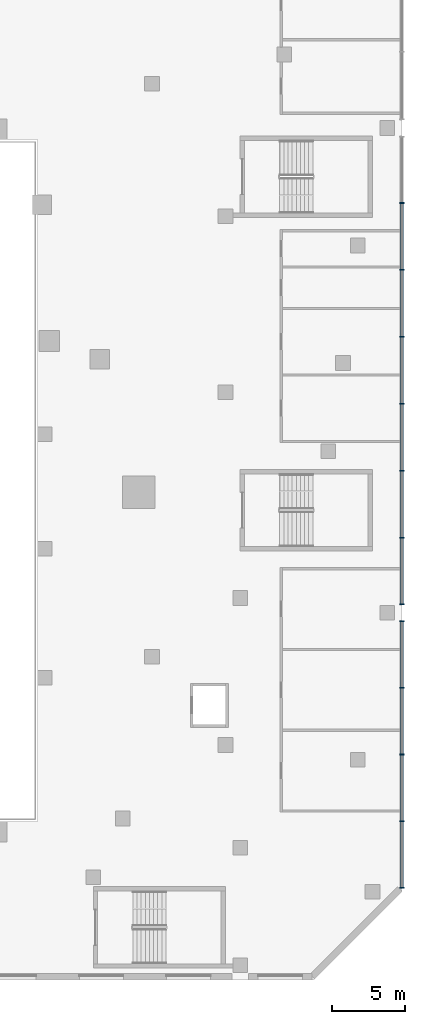
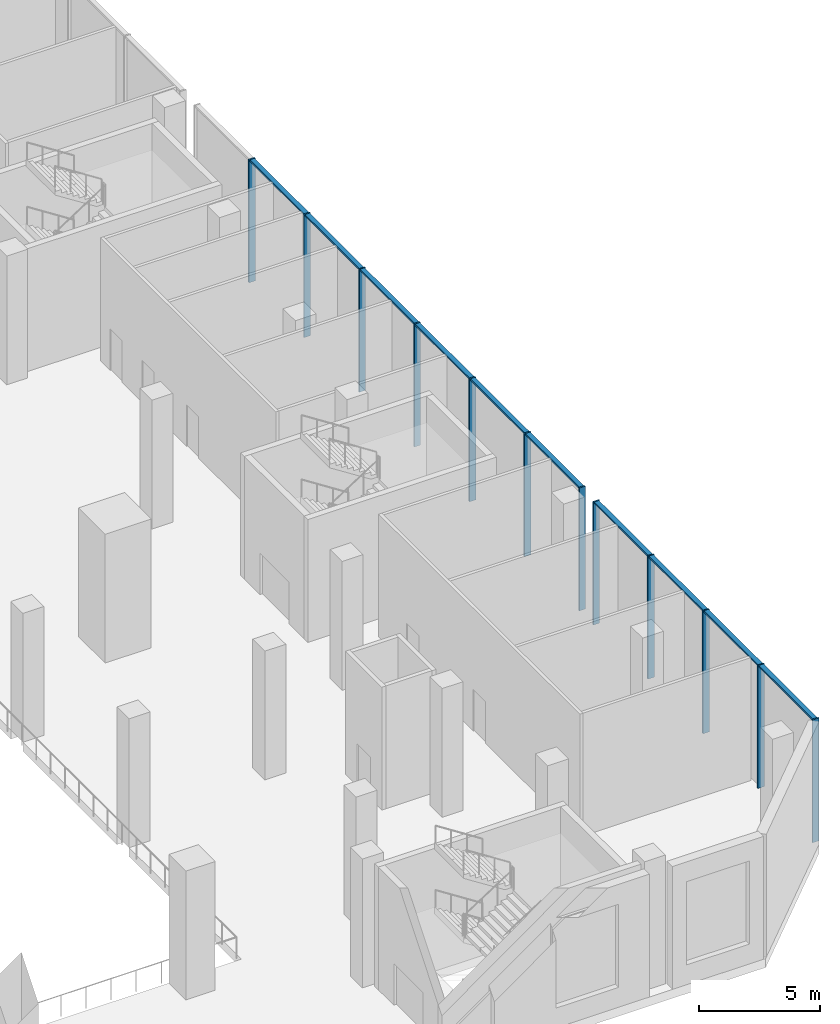
# One storey, part 4 of 30: 22 members, 2 elements without a shape of their own.
"""IFC4 building model written with IfcOpenShell, lengths in metres."""

from ifc_helpers import new_model, si_unit, direction, frame, origin, origin_2d, place, context, subcontext, project, spatial, rectangle, extrude, material, material_profile, profile_set, type_object, element, aggregate, save


model = new_model("IFC4")

# Units and contexts
model_context = context("Model", 3, precision=1e-05, world=origin(), true_north=direction((0.0, 1.0)))
body_context = subcontext(model_context, "Body", "Model", "MODEL_VIEW")
ifc_project = project(units=[si_unit("LENGTHUNIT", "METRE"), si_unit("AREAUNIT", "SQUARE_METRE"), si_unit("VOLUMEUNIT", "CUBIC_METRE"), si_unit("PLANEANGLEUNIT", "RADIAN"), si_unit("MASSUNIT", "GRAM", prefix="KILO")], contexts=[model_context])

# Site, building, storey
site_placement = place(None, origin())
site = spatial("IfcSite", under=ifc_project, at=site_placement, CompositionType="ELEMENT")
building_placement = place(site_placement, origin())
building = spatial("IfcBuilding", under=site, at=building_placement, Name="Wharfspan Tower", CompositionType="ELEMENT")
storey_placement = place(building_placement, frame((0.0, 0.0, 15.0)))
storey = spatial("IfcBuildingStorey", under=building, at=storey_placement, Name="L02", CompositionType="ELEMENT", Elevation=15.0)

# Curtain wall, members
ifc_material = material(Name="Aluminium 6063-T6", Category="aluminium")
curtain_wall_type = type_object("IfcCurtainWallType", Name="CURTAIN WALL ARENA STICK WALL", PredefinedType="NOTDEFINED", material=ifc_material)
curtain_wall_1_placement = place(storey_placement, origin())
curtain_wall_1 = element("IfcCurtainWall", 1, at=curtain_wall_1_placement, inside=storey, type_object=curtain_wall_type, Name="Concourse stick wall PF3.1", PredefinedType="NOTDEFINED")
ifc_material_profile_1 = material_profile(ifc_material, rectangle(XDim=0.300049, YDim=0.070068, at=origin_2d()))
ifc_profile_set_1 = profile_set([ifc_material_profile_1], Name="Aluminium 6063-T6")
member_type_1 = type_object("IfcMemberType", Name="MULLION ARENA STICK WALL 70x300", PredefinedType="MULLION", material=ifc_profile_set_1)
member_1_placement = place(storey_placement, frame((108.0, -25.715088, 0.0), z_axis=(0.0, 0.0, 1.0), x_axis=(-1.0, 0.0, 0.0)))
member_1 = element("IfcMember", 2, at=member_1_placement, type_object=member_type_1, Name="Concourse stick wall PF3.1 mullion 1", PredefinedType="MULLION", context=body_context, shape_type="SweptSolid", body=[
    extrude(rectangle(XDim=0.300049, YDim=0.070068, at=origin_2d()), origin(), (0.0, 0.0, 1.0), 6.199951),
])
member_2_placement = place(storey_placement, frame((108.0, -21.199951, 0.0), z_axis=(0.0, 0.0, 1.0), x_axis=(-1.0, 0.0, 0.0)))
member_2 = element("IfcMember", 3, at=member_2_placement, type_object=member_type_1, Name="Concourse stick wall PF3.1 mullion 2", PredefinedType="MULLION", context=body_context, shape_type="SweptSolid", body=[
    extrude(rectangle(XDim=0.300049, YDim=0.070068, at=origin_2d()), origin(), (0.0, 0.0, 1.0), 6.199951),
])
member_3_placement = place(storey_placement, frame((108.0, -16.649902, 0.0), z_axis=(0.0, 0.0, 1.0), x_axis=(-1.0, 0.0, 0.0)))
member_3 = element("IfcMember", 4, at=member_3_placement, type_object=member_type_1, Name="Concourse stick wall PF3.1 mullion 3", PredefinedType="MULLION", context=body_context, shape_type="SweptSolid", body=[
    extrude(rectangle(XDim=0.300049, YDim=0.070068, at=origin_2d()), origin(), (0.0, 0.0, 1.0), 6.199951),
])
member_4_placement = place(storey_placement, frame((108.0, -12.100098, 0.0), z_axis=(0.0, 0.0, 1.0), x_axis=(-1.0, 0.0, 0.0)))
member_4 = element("IfcMember", 5, at=member_4_placement, type_object=member_type_1, Name="Concourse stick wall PF3.1 mullion 4", PredefinedType="MULLION", context=body_context, shape_type="SweptSolid", body=[
    extrude(rectangle(XDim=0.300049, YDim=0.070068, at=origin_2d()), origin(), (0.0, 0.0, 1.0), 6.199951),
])
member_5_placement = place(storey_placement, frame((108.0, -7.584961, 0.0), z_axis=(0.0, 0.0, 1.0), x_axis=(-1.0, 0.0, 0.0)))
member_5 = element("IfcMember", 6, at=member_5_placement, type_object=member_type_1, Name="Concourse stick wall PF3.1 mullion 5", PredefinedType="MULLION", context=body_context, shape_type="SweptSolid", body=[
    extrude(rectangle(XDim=0.300049, YDim=0.070068, at=origin_2d()), origin(), (0.0, 0.0, 1.0), 6.199951),
])

curtain_wall_2_placement = place(storey_placement, origin())
curtain_wall_2 = element("IfcCurtainWall", 7, at=curtain_wall_2_placement, inside=storey, type_object=curtain_wall_type, Name="Concourse stick wall PF3.2", PredefinedType="NOTDEFINED")
member_6_placement = place(storey_placement, frame((108.0, -6.415039, 0.0), z_axis=(0.0, 0.0, 1.0), x_axis=(-1.0, 0.0, 0.0)))
member_6 = element("IfcMember", 8, at=member_6_placement, type_object=member_type_1, Name="Concourse stick wall PF3.2 mullion 1", PredefinedType="MULLION", context=body_context, shape_type="SweptSolid", body=[
    extrude(rectangle(XDim=0.300049, YDim=0.070068, at=origin_2d()), origin(), (0.0, 0.0, 1.0), 6.199951),
])
member_7_placement = place(storey_placement, frame((108.0, -1.892822, 0.0), z_axis=(0.0, 0.0, 1.0), x_axis=(-1.0, 0.0, 0.0)))
member_7 = element("IfcMember", 9, at=member_7_placement, type_object=member_type_1, Name="Concourse stick wall PF3.2 mullion 2", PredefinedType="MULLION", context=body_context, shape_type="SweptSolid", body=[
    extrude(rectangle(XDim=0.300049, YDim=0.070068, at=origin_2d()), origin(), (0.0, 0.0, 1.0), 6.199951),
])
member_8_placement = place(storey_placement, frame((108.0, 2.664307, 0.0), z_axis=(0.0, 0.0, 1.0), x_axis=(-1.0, 0.0, 0.0)))
member_8 = element("IfcMember", 10, at=member_8_placement, type_object=member_type_1, Name="Concourse stick wall PF3.2 mullion 3", PredefinedType="MULLION", context=body_context, shape_type="SweptSolid", body=[
    extrude(rectangle(XDim=0.300049, YDim=0.070068, at=origin_2d()), origin(), (0.0, 0.0, 1.0), 6.199951),
])
member_9_placement = place(storey_placement, frame((108.0, 7.221436, 0.0), z_axis=(0.0, 0.0, 1.0), x_axis=(-1.0, 0.0, 0.0)))
member_9 = element("IfcMember", 11, at=member_9_placement, type_object=member_type_1, Name="Concourse stick wall PF3.2 mullion 4", PredefinedType="MULLION", context=body_context, shape_type="SweptSolid", body=[
    extrude(rectangle(XDim=0.300049, YDim=0.070068, at=origin_2d()), origin(), (0.0, 0.0, 1.0), 6.199951),
])
member_10_placement = place(storey_placement, frame((108.0, 11.778564, 0.0), z_axis=(0.0, 0.0, 1.0), x_axis=(-1.0, 0.0, 0.0)))
member_10 = element("IfcMember", 12, at=member_10_placement, type_object=member_type_1, Name="Concourse stick wall PF3.2 mullion 5", PredefinedType="MULLION", context=body_context, shape_type="SweptSolid", body=[
    extrude(rectangle(XDim=0.300049, YDim=0.070068, at=origin_2d()), origin(), (0.0, 0.0, 1.0), 6.199951),
])
member_11_placement = place(storey_placement, frame((108.0, 16.335693, 0.0), z_axis=(0.0, 0.0, 1.0), x_axis=(-1.0, 0.0, 0.0)))
member_11 = element("IfcMember", 13, at=member_11_placement, type_object=member_type_1, Name="Concourse stick wall PF3.2 mullion 6", PredefinedType="MULLION", context=body_context, shape_type="SweptSolid", body=[
    extrude(rectangle(XDim=0.300049, YDim=0.070068, at=origin_2d()), origin(), (0.0, 0.0, 1.0), 6.199951),
])
member_12_placement = place(storey_placement, frame((108.0, 20.892822, 0.0), z_axis=(0.0, 0.0, 1.0), x_axis=(-1.0, 0.0, 0.0)))
member_12 = element("IfcMember", 14, at=member_12_placement, type_object=member_type_1, Name="Concourse stick wall PF3.2 mullion 7", PredefinedType="MULLION", context=body_context, shape_type="SweptSolid", body=[
    extrude(rectangle(XDim=0.300049, YDim=0.070068, at=origin_2d()), origin(), (0.0, 0.0, 1.0), 6.199951),
])

# Member
ifc_material_profile_2 = material_profile(ifc_material, rectangle(XDim=0.219971, YDim=0.090088, at=origin_2d()))
ifc_profile_set_2 = profile_set([ifc_material_profile_2], Name="Aluminium 6063-T6")
member_type_2 = type_object("IfcMemberType", Name="TRANSOM ARENA STICK WALL 90x220", PredefinedType="USERDEFINED", material=ifc_profile_set_2)
member_13_placement = place(storey_placement, frame((108.0, -25.679932, 6.155029), z_axis=(0.0, 1.0, 0.0), x_axis=(-1.0, 0.0, 0.0)))
member_13 = element("IfcMember", 15, at=member_13_placement, type_object=member_type_2, Name="Concourse stick wall PF3.1 transom 1", ObjectType="TRANSOM", PredefinedType="USERDEFINED", context=body_context, shape_type="SweptSolid", body=[
    extrude(rectangle(XDim=0.219971, YDim=0.090088, at=origin_2d()), origin(), (0.0, 0.0, 1.0), 4.444824),
])

member_14_placement = place(storey_placement, frame((108.0, -21.165039, 6.155029), z_axis=(0.0, 1.0, 0.0), x_axis=(-1.0, 0.0, 0.0)))
member_14 = element("IfcMember", 16, at=member_14_placement, type_object=member_type_2, Name="Concourse stick wall PF3.1 transom 2", ObjectType="TRANSOM", PredefinedType="USERDEFINED", context=body_context, shape_type="SweptSolid", body=[
    extrude(rectangle(XDim=0.219971, YDim=0.090088, at=origin_2d()), origin(), (0.0, 0.0, 1.0), 4.47998),
])

member_15_placement = place(storey_placement, frame((108.0, -16.61499, 6.155029), z_axis=(0.0, 1.0, 0.0), x_axis=(-1.0, 0.0, 0.0)))
member_15 = element("IfcMember", 17, at=member_15_placement, type_object=member_type_2, Name="Concourse stick wall PF3.1 transom 3", ObjectType="TRANSOM", PredefinedType="USERDEFINED", context=body_context, shape_type="SweptSolid", body=[
    extrude(rectangle(XDim=0.219971, YDim=0.090088, at=origin_2d()), origin(), (0.0, 0.0, 1.0), 4.47998),
])

member_16_placement = place(storey_placement, frame((108.0, -12.064941, 6.155029), z_axis=(0.0, 1.0, 0.0), x_axis=(-1.0, 0.0, 0.0)))
member_16 = element("IfcMember", 18, at=member_16_placement, type_object=member_type_2, Name="Concourse stick wall PF3.1 transom 4", ObjectType="TRANSOM", PredefinedType="USERDEFINED", context=body_context, shape_type="SweptSolid", body=[
    extrude(rectangle(XDim=0.219971, YDim=0.090088, at=origin_2d()), origin(), (0.0, 0.0, 1.0), 4.444824),
])

aggregate(curtain_wall_1, [member_1, member_2, member_3, member_4, member_5, member_13, member_14, member_15, member_16])

member_17_placement = place(storey_placement, frame((108.0, -6.379883, 6.155029), z_axis=(0.0, 1.0, 0.0), x_axis=(-1.0, 0.0, 0.0)))
member_17 = element("IfcMember", 19, at=member_17_placement, type_object=member_type_2, Name="Concourse stick wall PF3.2 transom 1", ObjectType="TRANSOM", PredefinedType="USERDEFINED", context=body_context, shape_type="SweptSolid", body=[
    extrude(rectangle(XDim=0.219971, YDim=0.090088, at=origin_2d()), origin(), (0.0, 0.0, 1.0), 4.451904),
])

member_18_placement = place(storey_placement, frame((108.0, -1.85791, 6.155029), z_axis=(0.0, 1.0, 0.0), x_axis=(-1.0, 0.0, 0.0)))
member_18 = element("IfcMember", 20, at=member_18_placement, type_object=member_type_2, Name="Concourse stick wall PF3.2 transom 2", ObjectType="TRANSOM", PredefinedType="USERDEFINED", context=body_context, shape_type="SweptSolid", body=[
    extrude(rectangle(XDim=0.219971, YDim=0.090088, at=origin_2d()), origin(), (0.0, 0.0, 1.0), 4.487305),
])

member_19_placement = place(storey_placement, frame((108.0, 2.699219, 6.155029), z_axis=(0.0, 1.0, 0.0), x_axis=(-1.0, 0.0, 0.0)))
member_19 = element("IfcMember", 21, at=member_19_placement, type_object=member_type_2, Name="Concourse stick wall PF3.2 transom 3", ObjectType="TRANSOM", PredefinedType="USERDEFINED", context=body_context, shape_type="SweptSolid", body=[
    extrude(rectangle(XDim=0.219971, YDim=0.090088, at=origin_2d()), origin(), (0.0, 0.0, 1.0), 4.487305),
])

member_20_placement = place(storey_placement, frame((108.0, 7.256348, 6.155029), z_axis=(0.0, 1.0, 0.0), x_axis=(-1.0, 0.0, 0.0)))
member_20 = element("IfcMember", 22, at=member_20_placement, type_object=member_type_2, Name="Concourse stick wall PF3.2 transom 4", ObjectType="TRANSOM", PredefinedType="USERDEFINED", context=body_context, shape_type="SweptSolid", body=[
    extrude(rectangle(XDim=0.219971, YDim=0.090088, at=origin_2d()), origin(), (0.0, 0.0, 1.0), 4.487305),
])

member_21_placement = place(storey_placement, frame((108.0, 11.813477, 6.155029), z_axis=(0.0, 1.0, 0.0), x_axis=(-1.0, 0.0, 0.0)))
member_21 = element("IfcMember", 23, at=member_21_placement, type_object=member_type_2, Name="Concourse stick wall PF3.2 transom 5", ObjectType="TRANSOM", PredefinedType="USERDEFINED", context=body_context, shape_type="SweptSolid", body=[
    extrude(rectangle(XDim=0.219971, YDim=0.090088, at=origin_2d()), origin(), (0.0, 0.0, 1.0), 4.487305),
])

member_22_placement = place(storey_placement, frame((108.0, 16.370605, 6.155029), z_axis=(0.0, 1.0, 0.0), x_axis=(-1.0, 0.0, 0.0)))
member_22 = element("IfcMember", 24, at=member_22_placement, type_object=member_type_2, Name="Concourse stick wall PF3.2 transom 6", ObjectType="TRANSOM", PredefinedType="USERDEFINED", context=body_context, shape_type="SweptSolid", body=[
    extrude(rectangle(XDim=0.219971, YDim=0.090088, at=origin_2d()), origin(), (0.0, 0.0, 1.0), 4.487305),
])

aggregate(curtain_wall_2, [member_6, member_7, member_8, member_9, member_10, member_11, member_12, member_17, member_18, member_19, member_20, member_21, member_22])

save(model, "model.ifc")
